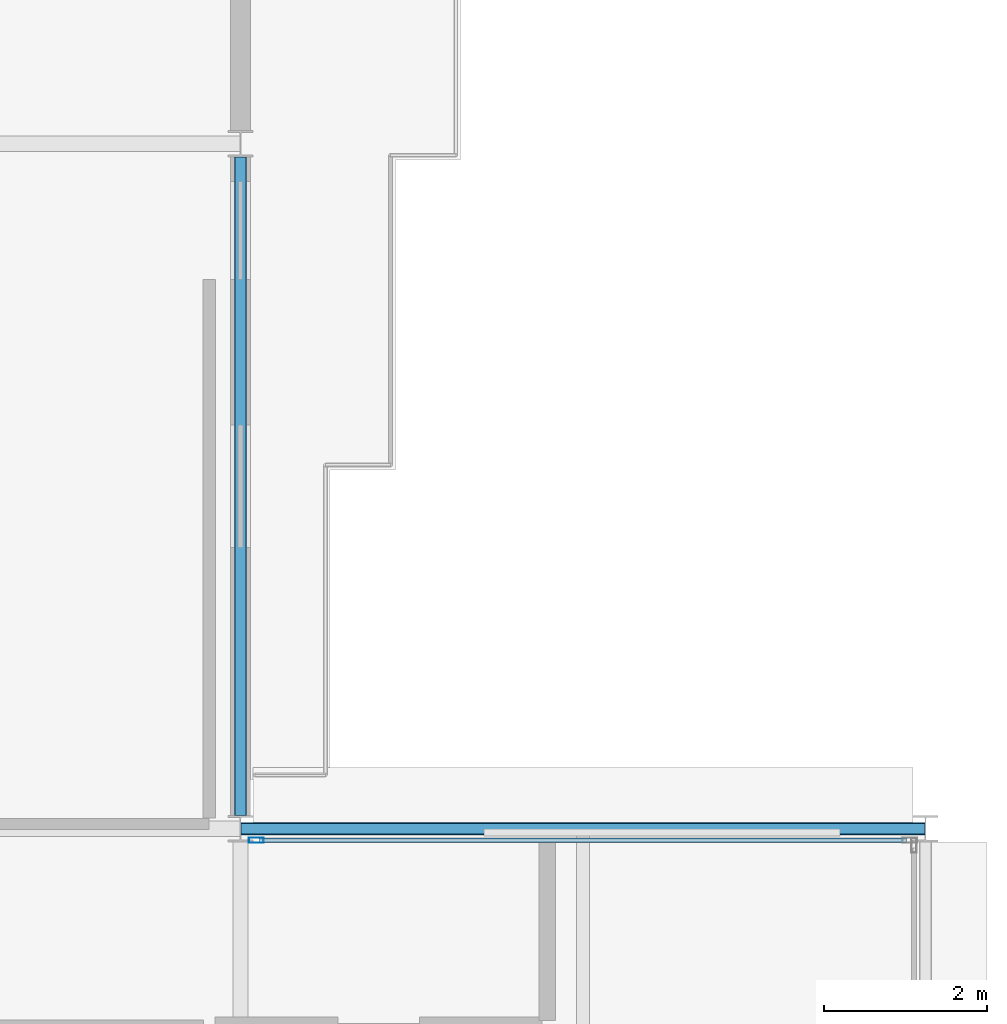
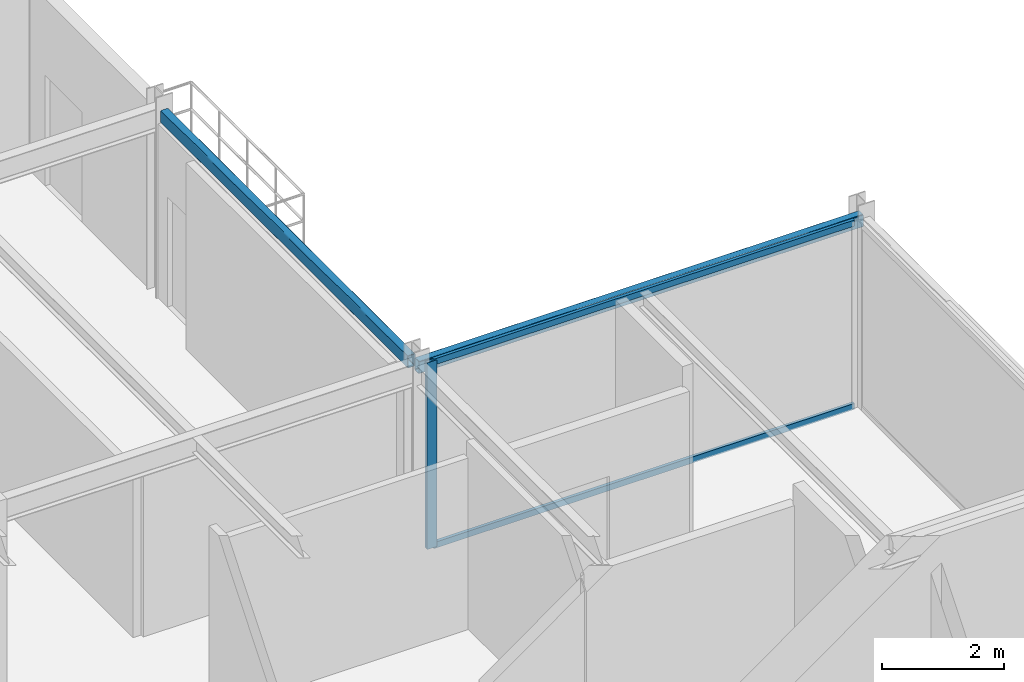
# One storey, part 13 of 25: 3 members, 2 beams, 1 element without a shape of its own.
"""IFC4 building model written with IfcOpenShell, lengths in metres."""

from ifc_helpers import new_model, si_unit, direction, frame, origin, origin_2d, place, context, subcontext, project, spatial, hollow_rectangle, extrude, material, layer, layer_set, material_profile, profile_set, type_object, element, aggregate, save


model = new_model("IFC4")

# Units and contexts
model_context = context("Model", 3, precision=1e-05, world=origin(), true_north=direction((0.0, 1.0)))
body_context = subcontext(model_context, "Body", "Model", "MODEL_VIEW")
ifc_project = project(units=[si_unit("LENGTHUNIT", "METRE"), si_unit("AREAUNIT", "SQUARE_METRE"), si_unit("VOLUMEUNIT", "CUBIC_METRE"), si_unit("PLANEANGLEUNIT", "RADIAN"), si_unit("MASSUNIT", "GRAM", prefix="KILO")], contexts=[model_context])

# Site, building, storey
site_placement = place(None, origin())
site = spatial("IfcSite", under=ifc_project, at=site_placement, CompositionType="ELEMENT")
building_placement = place(site_placement, origin())
building = spatial("IfcBuilding", under=site, at=building_placement, Name="Nerrivon Quay Data Exchange", CompositionType="ELEMENT")
storey_placement = place(building_placement, frame((0.0, 0.0, 314.199951171875)))
storey = spatial("IfcBuildingStorey", under=building, at=storey_placement, Name="L75", CompositionType="ELEMENT", Elevation=314.199951171875)

# Beams
ifc_material_1 = material(Name="Steel Grade C350L0 (350 MPa)", Category="steel")
ifc_material_profile_1 = material_profile(ifc_material_1, hollow_rectangle(XDim=0.14990234375, YDim=0.25, WallThickness=0.009033203125, InnerFilletRadius=0.013427734375, OuterFilletRadius=0.0224609375, at=origin_2d()), Name="250x150x9.0RHS")
ifc_profile_set_1 = profile_set([ifc_material_profile_1], Name="Steel Grade C350L0 (350 MPa)")
beam_type = type_object("IfcBeamType", Name="BM-SP4-250x150RHS", PredefinedType="SPANDREL", material=ifc_profile_set_1)
beam_1_placement = place(storey_placement, frame((25.2080078125, 25.199951171875, 3.60009765625), z_axis=(1.0, 0.0, 0.0), x_axis=(0.0, 1.0, 0.0)))
element("IfcBeam", 1, at=beam_1_placement, inside=storey, type_object=beam_type, Name="L75 EW Girder Y=25.2 (25.2..33.6)", PredefinedType="SPANDREL", context=body_context, shape_type="SweptSolid", body=[
    extrude(hollow_rectangle(XDim=0.14990234375, YDim=0.25, WallThickness=0.009033203125, InnerFilletRadius=0.013427734375, OuterFilletRadius=0.0224609375, at=origin_2d()), origin(), (0.0, 0.0, 1.0), 8.38427734375),
])
beam_2_placement = place(storey_placement, frame((25.199951171875, 25.363525390625, 3.60009765625), z_axis=(0.0, 1.0, 0.0), x_axis=(-1.0, 0.0, 0.0)))
element("IfcBeam", 2, at=beam_2_placement, inside=storey, type_object=beam_type, Name="L75 NS Girder X=25.2 (25.2..33.6)", PredefinedType="SPANDREL", context=body_context, shape_type="SweptSolid", body=[
    extrude(hollow_rectangle(XDim=0.14990234375, YDim=0.25, WallThickness=0.009033203125, InnerFilletRadius=0.013427734375, OuterFilletRadius=0.0224609375, at=origin_2d()), origin(), (0.0, 0.0, 1.0), 8.072998046875),
])

# Curtain wall, members
ifc_material_2 = material(Name="Anodised aluminium 6063-T6", Category="aluminium")
ifc_layer = layer(ifc_material_2, 0.195068359375)
ifc_layer_set = layer_set([ifc_layer], Name="Anodised aluminium 6063-T6")
curtain_wall_type = type_object("IfcCurtainWallType", Name="CW-SYS-06", PredefinedType="NOTDEFINED", material=ifc_layer_set)
curtain_wall_placement = place(storey_placement, origin())
curtain_wall = element("IfcCurtainWall", 3, at=curtain_wall_placement, inside=storey, type_object=curtain_wall_type, Name="L75 Unitised Curtain Wall 21", PredefinedType="NOTDEFINED")
ifc_material_profile_2 = material_profile(ifc_material_2, hollow_rectangle(XDim=0.06494140625, YDim=0.179931640625, WallThickness=0.00341796875, at=origin_2d()), Name="ALU-MULL-180x65")
ifc_profile_set_2 = profile_set([ifc_material_profile_2], Name="Anodised aluminium 6063-T6")
member_type_1 = type_object("IfcMemberType", Name="CWM-180x65", PredefinedType="MULLION", material=ifc_profile_set_2)
member_1_placement = place(storey_placement, frame((25.39306640625, 25.06005859375, 0.0), z_axis=(0.0, 0.0, 1.0), x_axis=(0.0, 1.0, 0.0)))
member_1 = element("IfcMember", 4, at=member_1_placement, type_object=member_type_1, Name="CW06 mullion 1", PredefinedType="MULLION", context=body_context, shape_type="SweptSolid", body=[
    extrude(hollow_rectangle(XDim=0.06494140625, YDim=0.179931640625, WallThickness=0.00341796875, at=origin_2d()), origin(), (0.0, 0.0, 1.0), 3.72509765625),
])
ifc_material_profile_3 = material_profile(ifc_material_2, hollow_rectangle(XDim=0.06005859375, YDim=0.1201171875, WallThickness=0.003173828125, at=origin_2d()), Name="ALU-TRAN-120x60")
ifc_profile_set_3 = profile_set([ifc_material_profile_3], Name="Anodised aluminium 6063-T6")
member_type_2 = type_object("IfcMemberType", Name="CWT-120x60", PredefinedType="USERDEFINED", material=ifc_profile_set_3)
member_2_placement = place(storey_placement, frame((25.430419921875, 25.06005859375, 0.032470703125), z_axis=(1.0, 0.0, 0.0), x_axis=(0.0, 1.0, 0.0)))
member_2 = element("IfcMember", 5, at=member_2_placement, type_object=member_type_2, Name="CW06 transom 1.1", ObjectType="TRANSOM", PredefinedType="USERDEFINED", context=body_context, shape_type="SweptSolid", body=[
    extrude(hollow_rectangle(XDim=0.06005859375, YDim=0.1201171875, WallThickness=0.003173828125, at=origin_2d()), origin(), (0.0, 0.0, 1.0), 7.93896484375),
])
member_3_placement = place(storey_placement, frame((25.430419921875, 25.06005859375, 3.692626953125), z_axis=(1.0, 0.0, 0.0), x_axis=(0.0, 1.0, 0.0)))
member_3 = element("IfcMember", 6, at=member_3_placement, type_object=member_type_2, Name="CW06 transom 1.2", ObjectType="TRANSOM", PredefinedType="USERDEFINED", context=body_context, shape_type="SweptSolid", body=[
    extrude(hollow_rectangle(XDim=0.06005859375, YDim=0.1201171875, WallThickness=0.003173828125, at=origin_2d()), origin(), (0.0, 0.0, 1.0), 7.93896484375),
])
aggregate(curtain_wall, [member_1, member_2, member_3])

save(model, "model.ifc")
